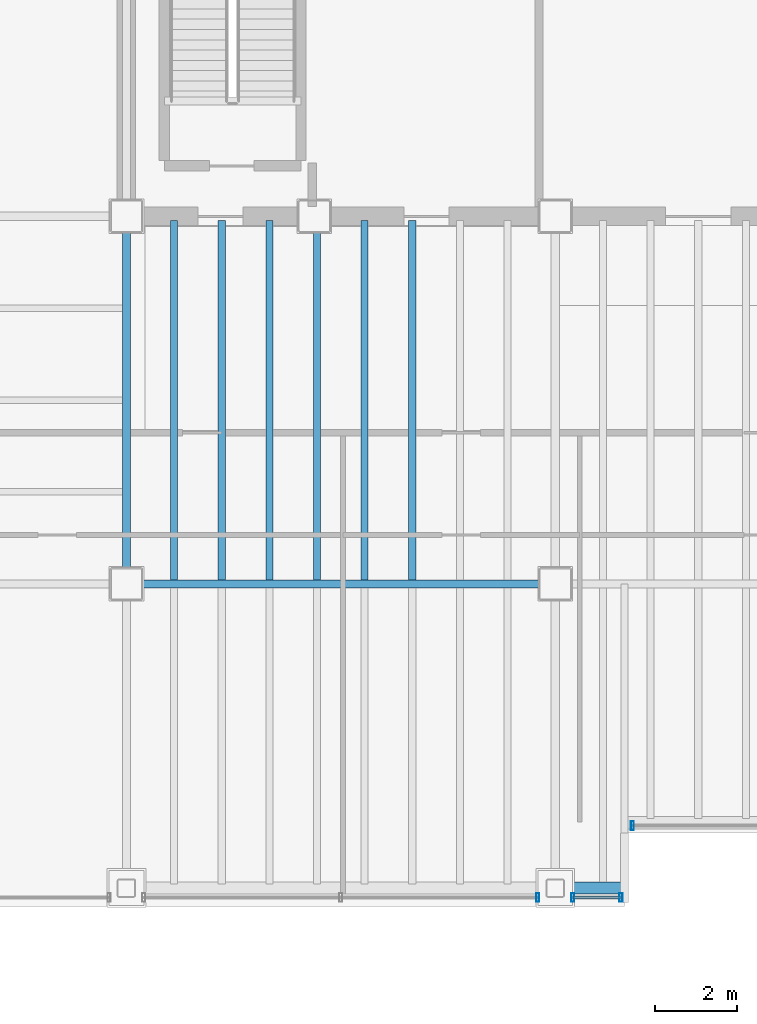
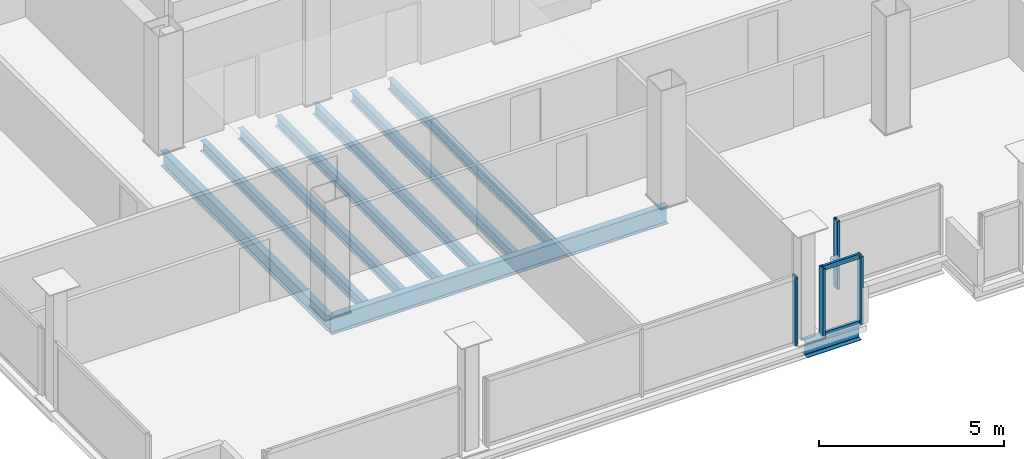
# One storey, part 5 of 16: 9 beams, 6 members, 3 elements without a shape of their own.
"""IFC4 building model written with IfcOpenShell, lengths in metres."""

from ifc_helpers import new_model, si_unit, direction, frame, origin, origin_2d, place, context, subcontext, project, spatial, hollow_rectangle, i_section, extrude, material, material_profile, profile_set, type_object, element, aggregate, save


model = new_model("IFC4")

# Units and contexts
model_context = context("Model", 3, precision=1e-05, world=origin(), true_north=direction((0.0, 1.0)))
body_context = subcontext(model_context, "Body", "Model", "MODEL_VIEW")
ifc_project = project(units=[si_unit("LENGTHUNIT", "METRE"), si_unit("AREAUNIT", "SQUARE_METRE"), si_unit("VOLUMEUNIT", "CUBIC_METRE"), si_unit("PLANEANGLEUNIT", "RADIAN"), si_unit("MASSUNIT", "GRAM", prefix="KILO")], contexts=[model_context])

# Site, building, storey
site_placement = place(None, origin())
site = spatial("IfcSite", under=ifc_project, at=site_placement, CompositionType="ELEMENT")
building_placement = place(site_placement, origin())
building = spatial("IfcBuilding", under=site, at=building_placement, Name="Noeulbin Bourse Tower", CompositionType="ELEMENT")
storey_placement = place(building_placement, frame((0.0, 0.0, 254.0)))
storey = spatial("IfcBuildingStorey", under=building, at=storey_placement, Name="L63", CompositionType="ELEMENT", Elevation=254.0)

# Beams
ifc_material_1 = material(Name="Steel S355", Category="steel")
ifc_material_profile_1 = material_profile(ifc_material_1, i_section(OverallWidth=0.199951171875, OverallDepth=0.5, WebThickness=0.010009765625, FlangeThickness=0.01611328125, FilletRadius=0.02001953125, at=origin_2d()), Name="H-500x200x10x16", Category="LoadBearing")
ifc_profile_set_1 = profile_set([ifc_material_profile_1], Name="Steel S355")
beam_type_1 = type_object("IfcBeamType", Name="BM-GRD-500", PredefinedType="USERDEFINED", material=ifc_profile_set_1)
beam_1_placement = place(storey_placement, frame((13.5, 20.0, -0.429931640625), z_axis=(0.0, 1.0, 0.0), x_axis=(-1.0, 0.0, 0.0)))
element("IfcBeam", 1, at=beam_1_placement, inside=storey, type_object=beam_type_1, Name="Tower Primary Girder NS L63-1.2", ObjectType="GIRDER", PredefinedType="USERDEFINED", context=body_context, shape_type="SweptSolid", body=[
    extrude(i_section(OverallWidth=0.199951171875, OverallDepth=0.5, WebThickness=0.010009765625, FlangeThickness=0.01611328125, FilletRadius=0.02001953125, at=origin_2d()), origin(), (0.0, 0.0, 1.0), 9.0),
])
ifc_material_profile_2 = material_profile(ifc_material_1, i_section(OverallWidth=0.199951171875, OverallDepth=0.60009765625, WebThickness=0.010986328125, FlangeThickness=0.01708984375, FilletRadius=0.02197265625, at=origin_2d()), Name="H-600x200x11x17", Category="LoadBearing")
ifc_profile_set_2 = profile_set([ifc_material_profile_2], Name="Steel S355")
beam_type_2 = type_object("IfcBeamType", Name="BM-GRD-600", PredefinedType="USERDEFINED", material=ifc_profile_set_2)
beam_2_placement = place(storey_placement, frame((13.5, 20.0, -0.47998046875), z_axis=(1.0, 0.0, 0.0), x_axis=(0.0, 1.0, 0.0)))
element("IfcBeam", 2, at=beam_2_placement, inside=storey, type_object=beam_type_2, Name="Tower Primary Girder EW L63-1.2", ObjectType="GIRDER", PredefinedType="USERDEFINED", context=body_context, shape_type="SweptSolid", body=[
    extrude(i_section(OverallWidth=0.199951171875, OverallDepth=0.60009765625, WebThickness=0.010986328125, FlangeThickness=0.01708984375, FilletRadius=0.02197265625, at=origin_2d()), origin(), (0.0, 0.0, 1.0), 10.5),
])
ifc_material_profile_3 = material_profile(ifc_material_1, i_section(OverallWidth=0.175048828125, OverallDepth=0.35009765625, WebThickness=0.007080078125, FlangeThickness=0.010986328125, FilletRadius=0.013916015625, at=origin_2d()), Name="H-350x175x7x11", Category="LoadBearing")
ifc_profile_set_3 = profile_set([ifc_material_profile_3], Name="Steel S355")
beam_type_3 = type_object("IfcBeamType", Name="BM-JST-350", PredefinedType="JOIST", material=ifc_profile_set_3)
for number, where, z_axis, x_axis, name in (
    (3, (14.666748046875, 20.10009765625, -0.35498046875), (0.0, 1.0, 0.0), (-1.0, 0.0, 0.0), "Tower Composite Joist L63-02"),
    (4, (15.833251953125, 20.10009765625, -0.35498046875), (0.0, 1.0, 0.0), (-1.0, 0.0, 0.0), "Tower Composite Joist L63-04"),
    (5, (17.0, 20.10009765625, -0.35498046875), (0.0, 1.0, 0.0), (-1.0, 0.0, 0.0), "Tower Composite Joist L63-06"),
    (6, (18.166748046875, 20.10009765625, -0.35498046875), (0.0, 1.0, 0.0), (-1.0, 0.0, 0.0), "Tower Composite Joist L63-08"),
    (7, (19.333251953125, 20.10009765625, -0.35498046875), (0.0, 1.0, 0.0), (-1.0, 0.0, 0.0), "Tower Composite Joist L63-10"),
    (8, (20.5, 20.10009765625, -0.35498046875), (0.0, 1.0, 0.0), (-1.0, 0.0, 0.0), "Tower Composite Joist L63-12"),
):
    element("IfcBeam", number, at=place(storey_placement, frame(where, z_axis=z_axis, x_axis=x_axis)), inside=storey, type_object=beam_type_3, Name=name, PredefinedType="JOIST", context=body_context, shape_type="SweptSolid", body=[
        extrude(i_section(OverallWidth=0.175048828125, OverallDepth=0.35009765625, WebThickness=0.007080078125, FlangeThickness=0.010986328125, FilletRadius=0.013916015625, at=origin_2d()), origin(), (0.0, 0.0, 1.0), 8.7998046875),
    ])
ifc_material_profile_4 = material_profile(ifc_material_1, i_section(OverallWidth=0.300048828125, OverallDepth=0.488037109375, WebThickness=0.010986328125, FlangeThickness=0.01806640625, FilletRadius=0.02197265625, at=origin_2d()), Name="H-488x300x11x18", Category="LoadBearing")
ifc_profile_set_4 = profile_set([ifc_material_profile_4], Name="Steel S355")
beam_type_4 = type_object("IfcBeamType", Name="BM-SPN-488", PredefinedType="SPANDREL", material=ifc_profile_set_4)
beam_3_placement = place(storey_placement, frame((24.0, 12.550048828125, -0.424072265625), z_axis=(1.0, 0.0, 0.0), x_axis=(0.0, 1.0, 0.0)))
element("IfcBeam", 9, at=beam_3_placement, inside=storey, type_object=beam_type_4, Name="South Spandrel L63-2A", PredefinedType="SPANDREL", context=body_context, shape_type="SweptSolid", body=[
    extrude(i_section(OverallWidth=0.300048828125, OverallDepth=0.488037109375, WebThickness=0.010986328125, FlangeThickness=0.01806640625, FilletRadius=0.02197265625, at=origin_2d()), origin(), (0.0, 0.0, 1.0), 1.699951171875),
])

# Curtain wall, member
ifc_material_2 = material(Name="High-Selectivity Low-Iron Glazing", Category="glass")
curtain_wall_type = type_object("IfcCurtainWallType", Name="CW-SYS-4", PredefinedType="NOTDEFINED", material=ifc_material_2)
curtain_wall_1_placement = place(storey_placement, origin())
curtain_wall_1 = element("IfcCurtainWall", 10, at=curtain_wall_1_placement, inside=storey, type_object=curtain_wall_type, Name="Unitised Curtain Wall CW-L63-SREC", PredefinedType="NOTDEFINED")
ifc_material_3 = material(Name="Anodised Aluminium 6063-T6", Category="aluminium")
ifc_material_profile_5 = material_profile(ifc_material_3, hollow_rectangle(XDim=0.074951171875, YDim=0.219970703125, WallThickness=0.0048828125, InnerFilletRadius=0.00244140625, OuterFilletRadius=0.0048828125, at=origin_2d()), Name="ALU-MULL-75x220x5", Category="LoadBearing")
ifc_profile_set_5 = profile_set([ifc_material_profile_5], Name="Anodised Aluminium 6063-T6")
member_type_1 = type_object("IfcMemberType", Name="CW-SYS-4-MUL", PredefinedType="MULLION", material=ifc_profile_set_5)
member_1_placement = place(storey_placement, frame((25.889892578125, 14.080078125, -0.02001953125), z_axis=(0.0, 0.0, 1.0), x_axis=(1.0, 0.0, 0.0)))
member_1 = element("IfcMember", 11, at=member_1_placement, type_object=member_type_1, Name="Curtain Wall Mullion CW-L63-SREC-M00", PredefinedType="MULLION", context=body_context, shape_type="SweptSolid", body=[
    extrude(hollow_rectangle(XDim=0.074951171875, YDim=0.219970703125, WallThickness=0.0048828125, InnerFilletRadius=0.00244140625, OuterFilletRadius=0.0048828125, at=origin_2d()), origin(), (0.0, 0.0, 1.0), 2.260009765625),
])
aggregate(curtain_wall_1, [member_1])

curtain_wall_2_placement = place(storey_placement, origin())
curtain_wall_2 = element("IfcCurtainWall", 12, at=curtain_wall_2_placement, inside=storey, type_object=curtain_wall_type, Name="Unitised Curtain Wall CW-L63-S1-S2", PredefinedType="NOTDEFINED")
member_2_placement = place(storey_placement, frame((23.574951171875, 12.320068359375, -0.02001953125), z_axis=(0.0, 0.0, 1.0), x_axis=(1.0, 0.0, 0.0)))
member_2 = element("IfcMember", 13, at=member_2_placement, type_object=member_type_1, Name="Curtain Wall Mullion CW-L63-S1-S2-M02", PredefinedType="MULLION", context=body_context, shape_type="SweptSolid", body=[
    extrude(hollow_rectangle(XDim=0.074951171875, YDim=0.219970703125, WallThickness=0.0048828125, InnerFilletRadius=0.00244140625, OuterFilletRadius=0.0048828125, at=origin_2d()), origin(), (0.0, 0.0, 1.0), 2.260009765625),
])
aggregate(curtain_wall_2, [member_2])

# Curtain wall, members
curtain_wall_3_placement = place(storey_placement, origin())
curtain_wall_3 = element("IfcCurtainWall", 14, at=curtain_wall_3_placement, inside=storey, type_object=curtain_wall_type, Name="Unitised Curtain Wall CW-L63-S1-S3", PredefinedType="NOTDEFINED")
member_3_placement = place(storey_placement, frame((24.425048828125, 12.320068359375, -0.02001953125), z_axis=(0.0, 0.0, 1.0), x_axis=(1.0, 0.0, 0.0)))
member_3 = element("IfcMember", 15, at=member_3_placement, type_object=member_type_1, Name="Curtain Wall Mullion CW-L63-S1-S3-M00", PredefinedType="MULLION", context=body_context, shape_type="SweptSolid", body=[
    extrude(hollow_rectangle(XDim=0.074951171875, YDim=0.219970703125, WallThickness=0.0048828125, InnerFilletRadius=0.00244140625, OuterFilletRadius=0.0048828125, at=origin_2d()), origin(), (0.0, 0.0, 1.0), 2.260009765625),
])
member_4_placement = place(storey_placement, frame((25.610107421875, 12.320068359375, -0.02001953125), z_axis=(0.0, 0.0, 1.0), x_axis=(1.0, 0.0, 0.0)))
member_4 = element("IfcMember", 16, at=member_4_placement, type_object=member_type_1, Name="Curtain Wall Mullion CW-L63-S1-S3-M01", PredefinedType="MULLION", context=body_context, shape_type="SweptSolid", body=[
    extrude(hollow_rectangle(XDim=0.074951171875, YDim=0.219970703125, WallThickness=0.0048828125, InnerFilletRadius=0.00244140625, OuterFilletRadius=0.0048828125, at=origin_2d()), origin(), (0.0, 0.0, 1.0), 2.260009765625),
])
ifc_material_profile_6 = material_profile(ifc_material_3, hollow_rectangle(XDim=0.074951171875, YDim=0.159912109375, WallThickness=0.0048828125, InnerFilletRadius=0.00244140625, OuterFilletRadius=0.0048828125, at=origin_2d()), Name="ALU-TRAN-75x160x5", Category="LoadBearing")
ifc_profile_set_6 = profile_set([ifc_material_profile_6], Name="Anodised Aluminium 6063-T6")
member_type_2 = type_object("IfcMemberType", Name="CW-SYS-4-TRN", PredefinedType="USERDEFINED", material=ifc_profile_set_6)
member_5_placement = place(storey_placement, frame((24.43505859375, 12.320068359375, 0.010009765625), z_axis=(1.0, 0.0, 0.0), x_axis=(0.0, 1.0, 0.0)))
member_5 = element("IfcMember", 17, at=member_5_placement, type_object=member_type_2, Name="Curtain Wall Transom CW-L63-S1-S3-T00", ObjectType="TRANSOM", PredefinedType="USERDEFINED", context=body_context, shape_type="SweptSolid", body=[
    extrude(hollow_rectangle(XDim=0.074951171875, YDim=0.159912109375, WallThickness=0.0048828125, InnerFilletRadius=0.00244140625, OuterFilletRadius=0.0048828125, at=origin_2d()), origin(), (0.0, 0.0, 1.0), 1.1650390625),
])
member_6_placement = place(storey_placement, frame((24.43505859375, 12.320068359375, 2.2099609375), z_axis=(1.0, 0.0, 0.0), x_axis=(0.0, 1.0, 0.0)))
member_6 = element("IfcMember", 18, at=member_6_placement, type_object=member_type_2, Name="Curtain Wall Transom CW-L63-S1-S3-T01", ObjectType="TRANSOM", PredefinedType="USERDEFINED", context=body_context, shape_type="SweptSolid", body=[
    extrude(hollow_rectangle(XDim=0.074951171875, YDim=0.159912109375, WallThickness=0.0048828125, InnerFilletRadius=0.00244140625, OuterFilletRadius=0.0048828125, at=origin_2d()), origin(), (0.0, 0.0, 1.0), 1.1650390625),
])
aggregate(curtain_wall_3, [member_3, member_4, member_5, member_6])

save(model, "model.ifc")
